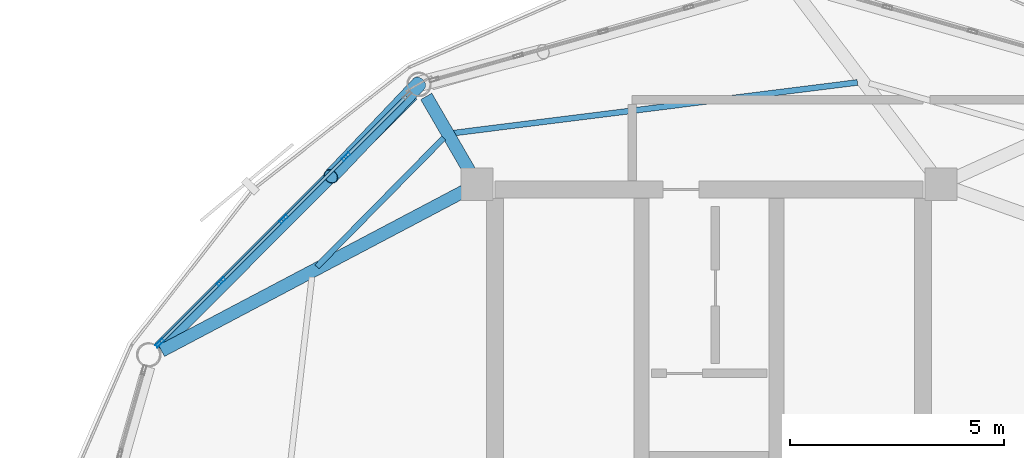
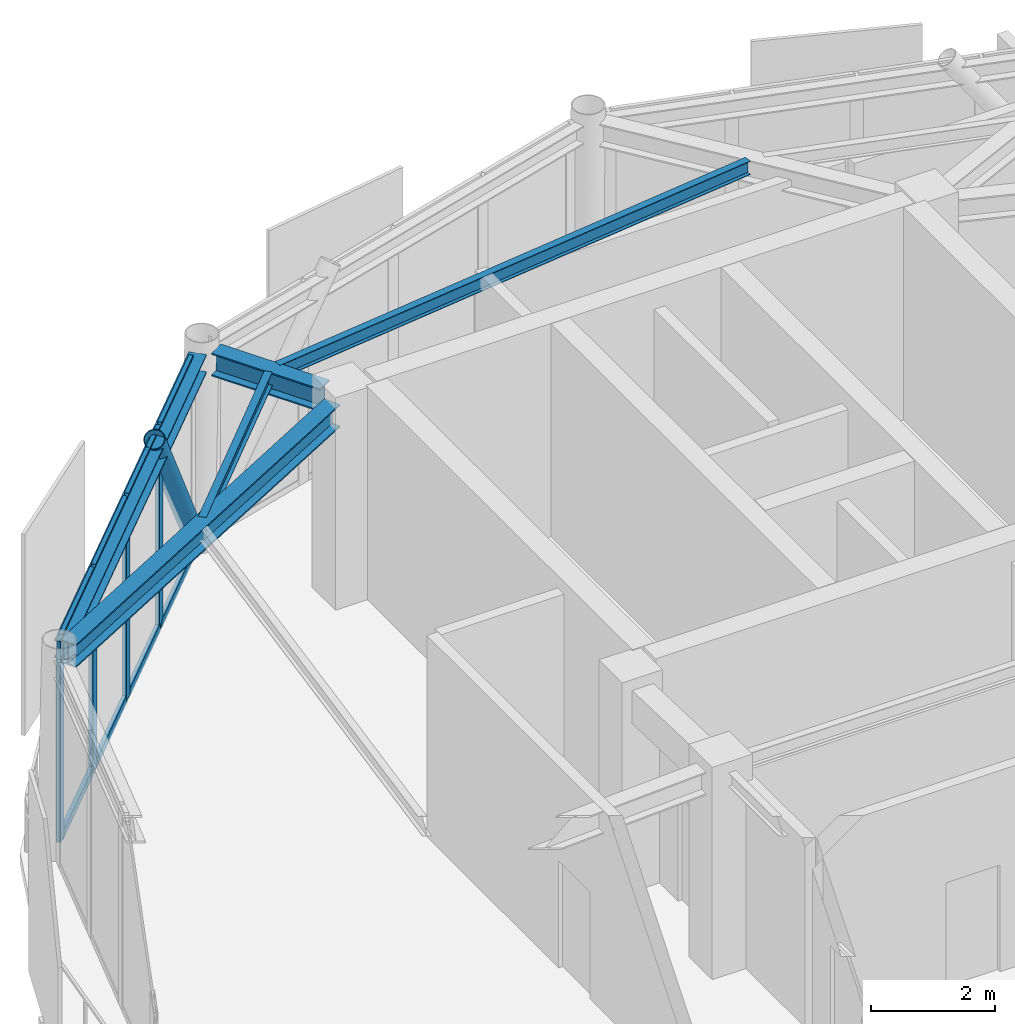
# One storey, part 9 of 20: 13 members, 5 beams, 1 element without a shape of its own.
"""IFC4 building model written with IfcOpenShell, lengths in metres."""

from ifc_helpers import new_model, si_unit, direction, frame, origin, origin_2d, place, context, subcontext, project, spatial, hollow_rectangle, hollow_circle, i_section, extrude, material, layer, layer_set, material_profile, profile_set, type_object, element, aggregate, save


model = new_model("IFC4")

# Units and contexts
model_context = context("Model", 3, precision=1e-05, world=origin(), true_north=direction((0.0, 1.0)))
body_context = subcontext(model_context, "Body", "Model", "MODEL_VIEW")
ifc_project = project(units=[si_unit("LENGTHUNIT", "METRE"), si_unit("AREAUNIT", "SQUARE_METRE"), si_unit("VOLUMEUNIT", "CUBIC_METRE"), si_unit("PLANEANGLEUNIT", "RADIAN"), si_unit("MASSUNIT", "GRAM", prefix="KILO")], contexts=[model_context])

# Site, building, storey
site_placement = place(None, origin())
site = spatial("IfcSite", under=ifc_project, at=site_placement, CompositionType="ELEMENT")
building_placement = place(site_placement, origin())
building = spatial("IfcBuilding", under=site, at=building_placement, Name="Varnakorn Sky Granary", CompositionType="ELEMENT")
storey_placement = place(building_placement, frame((0.0, 0.0, 306.60009765625)))
storey = spatial("IfcBuildingStorey", under=building, at=storey_placement, Name="L78", CompositionType="ELEMENT", Elevation=306.60009765625)

# Beams
ifc_material_1 = material(Name="Steel S355JR", Category="steel")
ifc_material_profile_1 = material_profile(ifc_material_1, i_section(OverallWidth=0.300048828125, OverallDepth=0.449951171875, WebThickness=0.013916015625, FlangeThickness=0.02587890625, at=origin_2d()), Name="HE 450 B")
ifc_profile_set_1 = profile_set([ifc_material_profile_1], Name="Steel S355JR")
beam_type_1 = type_object("IfcBeamType", Name="BM-RAD-Z5", PredefinedType="BEAM", material=ifc_profile_set_1)
beam_1_placement = place(storey_placement, frame((-2.597900390625, 12.927001953125, 3.73486328125), z_axis=(-0.501455668979, 0.865183340136, 0.0), x_axis=(-0.865183340136, -0.501455668979, 0.0)))
element("IfcBeam", 1, at=beam_1_placement, inside=storey, type_object=beam_type_1, Name="Radial Floor Girder RG05 L78", PredefinedType="BEAM", context=body_context, shape_type="SweptSolid", body=[
    extrude(i_section(OverallWidth=0.300048828125, OverallDepth=0.449951171875, WebThickness=0.013916015625, FlangeThickness=0.02587890625, at=origin_2d()), origin(), (0.0, 0.0, 1.0), 2.01904296875),
])
beam_2_placement = place(storey_placement, frame((-2.73388671875, 12.454345703125, 3.73486328125), z_axis=(-0.884490912614, -0.4665574193, 0.0), x_axis=(0.4665574193, -0.884490912614, 0.0)))
element("IfcBeam", 2, at=beam_2_placement, inside=storey, type_object=beam_type_1, Name="Radial Floor Girder RG06 L78", PredefinedType="BEAM", context=body_context, shape_type="SweptSolid", body=[
    extrude(i_section(OverallWidth=0.300048828125, OverallDepth=0.449951171875, WebThickness=0.013916015625, FlangeThickness=0.02587890625, at=origin_2d()), origin(), (0.0, 0.0, 1.0), 7.988525390625),
])
ifc_material_profile_2 = material_profile(ifc_material_1, i_section(OverallWidth=0.135009765625, OverallDepth=0.27001953125, WebThickness=0.006591796875, FlangeThickness=0.01025390625, at=origin_2d()), Name="IPE 270")
ifc_profile_set_2 = profile_set([ifc_material_profile_2], Name="Steel S355JR")
beam_type_2 = type_object("IfcBeamType", Name="BM-SEC-Z5", PredefinedType="BEAM", material=ifc_profile_set_2)
beam_3_placement = place(storey_placement, frame((6.46875, 15.000244140625, 3.824951171875), z_axis=(-0.992237530123, -0.12435708189, 0.0), x_axis=(0.12435708189, -0.992237530123, 0.0)))
element("IfcBeam", 3, at=beam_3_placement, inside=storey, type_object=beam_type_2, Name="Secondary Floor Chord Beam MSB04 L78", PredefinedType="BEAM", context=body_context, shape_type="SweptSolid", body=[
    extrude(i_section(OverallWidth=0.135009765625, OverallDepth=0.27001953125, WebThickness=0.006591796875, FlangeThickness=0.01025390625, at=origin_2d()), origin(), (0.0, 0.0, 1.0), 9.5078125),
])
beam_4_placement = place(storey_placement, frame((-3.202392578125, 13.70068359375, 3.824951171875), z_axis=(-0.701888064909, -0.712287262513, 0.0), x_axis=(0.712287262513, -0.701888064909, 0.0)))
element("IfcBeam", 4, at=beam_4_placement, inside=storey, type_object=beam_type_2, Name="Secondary Floor Chord Beam MSB05 L78", PredefinedType="BEAM", context=body_context, shape_type="SweptSolid", body=[
    extrude(i_section(OverallWidth=0.135009765625, OverallDepth=0.27001953125, WebThickness=0.006591796875, FlangeThickness=0.01025390625, at=origin_2d()), origin(), (0.0, 0.0, 1.0), 4.225830078125),
])
ifc_material_profile_3 = material_profile(ifc_material_1, i_section(OverallWidth=0.300048828125, OverallDepth=0.360107421875, WebThickness=0.012451171875, FlangeThickness=0.0224609375, at=origin_2d()), Name="HE 360 B")
ifc_profile_set_3 = profile_set([ifc_material_profile_3], Name="Steel S355JR")
beam_type_3 = type_object("IfcBeamType", Name="BM-SPD-Z5", PredefinedType="SPANDREL", material=ifc_profile_set_3)
beam_5_placement = place(storey_placement, frame((-3.929931640625, 14.71533203125, 3.77978515625), z_axis=(-0.706669260359, -0.707544031467, 0.0), x_axis=(0.707544031467, -0.706669260359, 0.0)))
element("IfcBeam", 5, at=beam_5_placement, inside=storey, type_object=beam_type_3, Name="Perimeter Spandrel Ring Beam RB05 L78", PredefinedType="SPANDREL", context=body_context, shape_type="SweptSolid", body=[
    extrude(i_section(OverallWidth=0.300048828125, OverallDepth=0.360107421875, WebThickness=0.012451171875, FlangeThickness=0.0224609375, at=origin_2d()), origin(), (0.0, 0.0, 1.0), 8.372802734375),
])

# Curtain wall, members
ifc_material_2 = material(Name="Anodised Bronze Aluminium Alloy 6063-T6", Category="aluminium")
ifc_layer = layer(ifc_material_2, 0.22998046875, Name="Anodised Bronze Aluminium Alloy 6063-T6")
ifc_layer_set = layer_set([ifc_layer], Name="Anodised Bronze Aluminium Alloy 6063-T6")
curtain_wall_type = type_object("IfcCurtainWallType", Name="CW-LNT-1", PredefinedType="USERDEFINED", material=ifc_layer_set)
curtain_wall_placement = place(storey_placement, origin())
curtain_wall = element("IfcCurtainWall", 6, at=curtain_wall_placement, inside=storey, type_object=curtain_wall_type, Name="Unitised Curtain Wall CW7 CW-L78-B05", ObjectType="CURTAIN WALL", PredefinedType="USERDEFINED")
ifc_material_profile_4 = material_profile(ifc_material_2, hollow_rectangle(XDim=0.074951171875, YDim=0.219970703125, WallThickness=0.00390625, at=origin_2d()), Name="ALU MULL 75x220")
ifc_profile_set_4 = profile_set([ifc_material_profile_4], Name="Anodised Bronze Aluminium Alloy 6063-T6")
member_type_1 = type_object("IfcMemberType", Name="CW-LNT-1-MULL", PredefinedType="MULLION", material=ifc_profile_set_4)
member_1_placement = place(storey_placement, frame((-9.841552734375, 8.906005859375, 0.0), z_axis=(0.0, 0.0, 1.0), x_axis=(-0.707251982619, 0.706961549932, 0.0)))
member_1 = element("IfcMember", 7, at=member_1_placement, type_object=member_type_1, Name="CW7 mullion 1", PredefinedType="MULLION", context=body_context, shape_type="SweptSolid", body=[
    extrude(hollow_rectangle(XDim=0.074951171875, YDim=0.219970703125, WallThickness=0.00390625, at=origin_2d()), origin(), (0.0, 0.0, 1.0), 3.9599609375),
])
member_2_placement = place(storey_placement, frame((-8.407470703125, 10.3408203125, 0.0), z_axis=(0.0, 0.0, 1.0), x_axis=(-0.707251982619, 0.706961549932, 0.0)))
member_2 = element("IfcMember", 8, at=member_2_placement, type_object=member_type_1, Name="CW7 mullion 2", PredefinedType="MULLION", context=body_context, shape_type="SweptSolid", body=[
    extrude(hollow_rectangle(XDim=0.074951171875, YDim=0.219970703125, WallThickness=0.00390625, at=origin_2d()), origin(), (0.0, 0.0, 1.0), 3.9599609375),
])
member_3_placement = place(storey_placement, frame((-6.947021484375, 11.8017578125, 0.0), z_axis=(0.0, 0.0, 1.0), x_axis=(-0.707251982619, 0.706961549932, 0.0)))
member_3 = element("IfcMember", 9, at=member_3_placement, type_object=member_type_1, Name="CW7 mullion 3", PredefinedType="MULLION", context=body_context, shape_type="SweptSolid", body=[
    extrude(hollow_rectangle(XDim=0.074951171875, YDim=0.219970703125, WallThickness=0.00390625, at=origin_2d()), origin(), (0.0, 0.0, 1.0), 3.9599609375),
])
member_4_placement = place(storey_placement, frame((-5.486572265625, 13.262939453125, 0.0), z_axis=(0.0, 0.0, 1.0), x_axis=(-0.707251982619, 0.706961549932, 0.0)))
member_4 = element("IfcMember", 10, at=member_4_placement, type_object=member_type_1, Name="CW7 mullion 4", PredefinedType="MULLION", context=body_context, shape_type="SweptSolid", body=[
    extrude(hollow_rectangle(XDim=0.074951171875, YDim=0.219970703125, WallThickness=0.00390625, at=origin_2d()), origin(), (0.0, 0.0, 1.0), 3.9599609375),
])
ifc_material_profile_5 = material_profile(ifc_material_2, hollow_rectangle(XDim=0.074951171875, YDim=0.159912109375, WallThickness=0.00390625, at=origin_2d()), Name="ALU TRAN 75x160")
ifc_profile_set_5 = profile_set([ifc_material_profile_5], Name="Anodised Bronze Aluminium Alloy 6063-T6")
member_type_2 = type_object("IfcMemberType", Name="CW-LNT-1-TRAN", PredefinedType="USERDEFINED", material=ifc_profile_set_5)
member_5_placement = place(storey_placement, frame((-9.81494140625, 8.9326171875, 0.037353515625), z_axis=(0.706919277741, 0.707294234925, 0.0), x_axis=(-0.707294234925, 0.706919277741, 0.0)))
member_5 = element("IfcMember", 11, at=member_5_placement, type_object=member_type_2, Name="CW7 transom 1.1", ObjectType="TRANSOM", PredefinedType="USERDEFINED", context=body_context, shape_type="SweptSolid", body=[
    extrude(hollow_rectangle(XDim=0.074951171875, YDim=0.159912109375, WallThickness=0.00390625, at=origin_2d()), origin(), (0.0, 0.0, 1.0), 1.953369140625),
])
member_6_placement = place(storey_placement, frame((-9.81494140625, 8.9326171875, 3.92236328125), z_axis=(0.706919277741, 0.707294234925, 0.0), x_axis=(-0.707294234925, 0.706919277741, 0.0)))
member_6 = element("IfcMember", 12, at=member_6_placement, type_object=member_type_2, Name="CW7 transom 1.2", ObjectType="TRANSOM", PredefinedType="USERDEFINED", context=body_context, shape_type="SweptSolid", body=[
    extrude(hollow_rectangle(XDim=0.074951171875, YDim=0.159912109375, WallThickness=0.00390625, at=origin_2d()), origin(), (0.0, 0.0, 1.0), 1.953369140625),
])
member_7_placement = place(storey_placement, frame((-8.381103515625, 10.3671875, 0.037353515625), z_axis=(0.706922822444, 0.707290692083, 0.0), x_axis=(-0.707290692083, 0.706922822444, 0.0)))
member_7 = element("IfcMember", 13, at=member_7_placement, type_object=member_type_2, Name="CW7 transom 2.1", ObjectType="TRANSOM", PredefinedType="USERDEFINED", context=body_context, shape_type="SweptSolid", body=[
    extrude(hollow_rectangle(XDim=0.074951171875, YDim=0.159912109375, WallThickness=0.00390625, at=origin_2d()), origin(), (0.0, 0.0, 1.0), 1.990966796875),
])
member_8_placement = place(storey_placement, frame((-8.381103515625, 10.3671875, 3.92236328125), z_axis=(0.706922822444, 0.707290692083, 0.0), x_axis=(-0.707290692083, 0.706922822444, 0.0)))
member_8 = element("IfcMember", 14, at=member_8_placement, type_object=member_type_2, Name="CW7 transom 2.2", ObjectType="TRANSOM", PredefinedType="USERDEFINED", context=body_context, shape_type="SweptSolid", body=[
    extrude(hollow_rectangle(XDim=0.074951171875, YDim=0.159912109375, WallThickness=0.00390625, at=origin_2d()), origin(), (0.0, 0.0, 1.0), 1.990966796875),
])
member_9_placement = place(storey_placement, frame((-6.92041015625, 11.828369140625, 0.037353515625), z_axis=(0.706984136704, 0.707229404401, 0.0), x_axis=(-0.707229404401, 0.706984136704, 0.0)))
member_9 = element("IfcMember", 15, at=member_9_placement, type_object=member_type_2, Name="CW7 transom 3.1", ObjectType="TRANSOM", PredefinedType="USERDEFINED", context=body_context, shape_type="SweptSolid", body=[
    extrude(hollow_rectangle(XDim=0.074951171875, YDim=0.159912109375, WallThickness=0.00390625, at=origin_2d()), origin(), (0.0, 0.0, 1.0), 1.99072265625),
])
member_10_placement = place(storey_placement, frame((-6.92041015625, 11.828369140625, 3.92236328125), z_axis=(0.706984136704, 0.707229404401, 0.0), x_axis=(-0.707229404401, 0.706984136704, 0.0)))
member_10 = element("IfcMember", 16, at=member_10_placement, type_object=member_type_2, Name="CW7 transom 3.2", ObjectType="TRANSOM", PredefinedType="USERDEFINED", context=body_context, shape_type="SweptSolid", body=[
    extrude(hollow_rectangle(XDim=0.074951171875, YDim=0.159912109375, WallThickness=0.00390625, at=origin_2d()), origin(), (0.0, 0.0, 1.0), 1.99072265625),
])
member_11_placement = place(storey_placement, frame((-5.4599609375, 13.289306640625, 0.037353515625), z_axis=(0.706919277741, 0.707294234925, 0.0), x_axis=(-0.707294234925, 0.706919277741, 0.0)))
member_11 = element("IfcMember", 17, at=member_11_placement, type_object=member_type_2, Name="CW7 transom 4.1", ObjectType="TRANSOM", PredefinedType="USERDEFINED", context=body_context, shape_type="SweptSolid", body=[
    extrude(hollow_rectangle(XDim=0.074951171875, YDim=0.159912109375, WallThickness=0.00390625, at=origin_2d()), origin(), (0.0, 0.0, 1.0), 1.953369140625),
])
member_12_placement = place(storey_placement, frame((-5.4599609375, 13.289306640625, 3.92236328125), z_axis=(0.706919277741, 0.707294234925, 0.0), x_axis=(-0.707294234925, 0.706919277741, 0.0)))
member_12 = element("IfcMember", 18, at=member_12_placement, type_object=member_type_2, Name="CW7 transom 4.2", ObjectType="TRANSOM", PredefinedType="USERDEFINED", context=body_context, shape_type="SweptSolid", body=[
    extrude(hollow_rectangle(XDim=0.074951171875, YDim=0.159912109375, WallThickness=0.00390625, at=origin_2d()), origin(), (0.0, 0.0, 1.0), 1.953369140625),
])
aggregate(curtain_wall, [member_1, member_2, member_3, member_4, member_5, member_6, member_7, member_8, member_9, member_10, member_11, member_12])

# Member
ifc_material_3 = material(Name="Steel S460M", Category="steel")
ifc_material_profile_6 = material_profile(ifc_material_3, hollow_circle(Radius=0.177734375, WallThickness=0.01416015625, at=origin_2d()), Name="CHS 355.6x14")
ifc_profile_set_6 = profile_set([ifc_material_profile_6], Name="Steel S460M")
member_type_3 = type_object("IfcMemberType", Name="MB-DIAG-T5", PredefinedType="BRACE", material=ifc_profile_set_6)
member_13_placement = place(storey_placement, frame((-3.785888671875, 14.964111328125, 0.0), z_axis=(-0.405821333328, -0.426997556475, 0.80807309829), x_axis=(0.724852216462, -0.688904394158, 0.0)))
element("IfcMember", 19, at=member_13_placement, inside=storey, type_object=member_type_3, Name="Perimeter CHS Diagrid Brace DG05 L78", PredefinedType="BRACE", context=body_context, shape_type="SweptSolid", body=[
    extrude(hollow_circle(Radius=0.177734375, WallThickness=0.01416015625, at=origin_2d()), origin(), (0.0, 0.0, 1.0), 5.061279296875),
])

save(model, "model.ifc")
